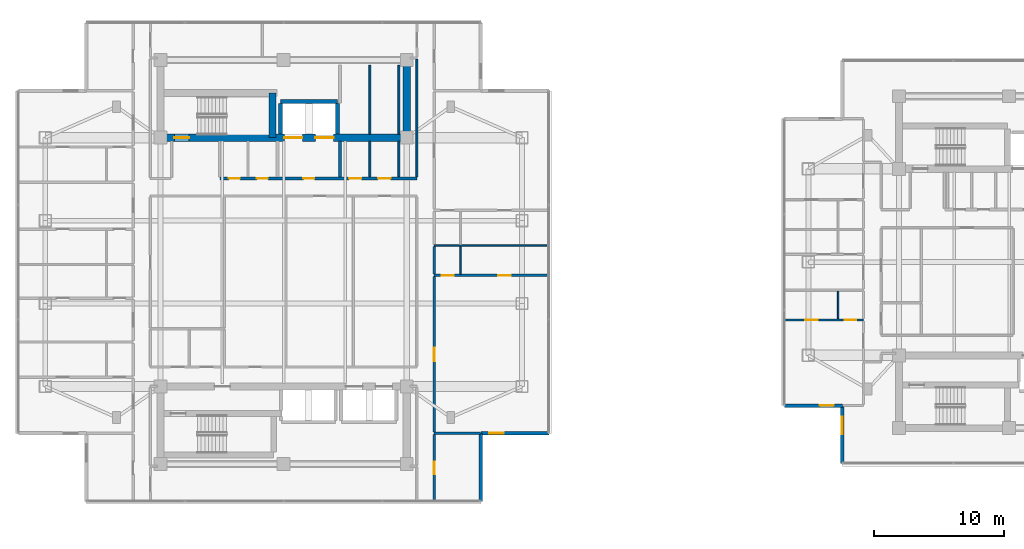
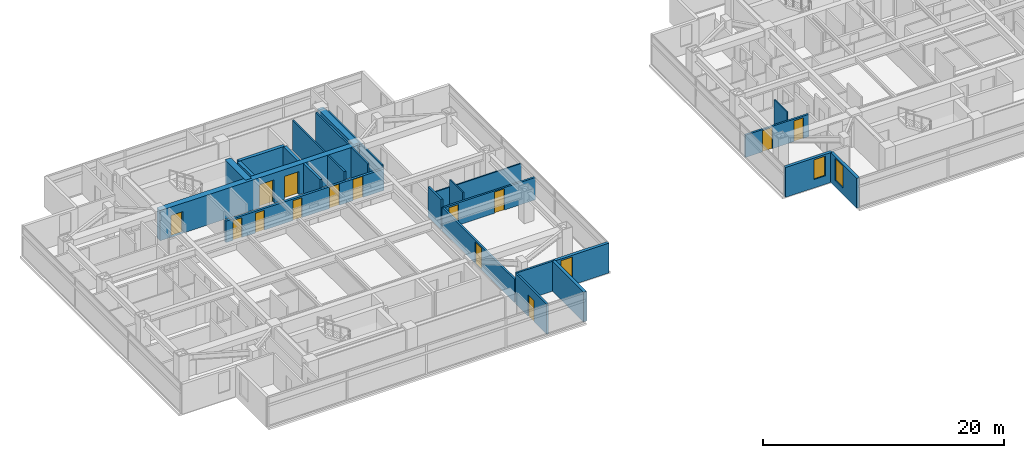
# One storey, part 14 of 24: 26 walls, 14 doors, 3 windows, 17 openings.
"""IFC4 building model written with IfcOpenShell, lengths in metres."""

from ifc_helpers import new_model, si_unit, direction, frame, frame_2d, origin, place, context, subcontext, project, spatial, rectangle, extrude, material, layer, layer_set, type_object, element, fill, save


model = new_model("IFC4")

# Units and contexts
model_context = context("Model", 3, precision=1e-05, world=origin(), true_north=direction((0.0, 1.0)))
body_context = subcontext(model_context, "Body", "Model", "MODEL_VIEW")
ifc_project = project(units=[si_unit("LENGTHUNIT", "METRE"), si_unit("AREAUNIT", "SQUARE_METRE"), si_unit("VOLUMEUNIT", "CUBIC_METRE"), si_unit("PLANEANGLEUNIT", "RADIAN"), si_unit("MASSUNIT", "GRAM", prefix="KILO")], contexts=[model_context])

# Site, building, storey
site_placement = place(None, origin())
site = spatial("IfcSite", under=ifc_project, at=site_placement, CompositionType="ELEMENT")
building_placement = place(site_placement, origin())
building = spatial("IfcBuilding", under=site, at=building_placement, Name="Mirazonda Arch Towers", CompositionType="ELEMENT")
storey_placement = place(building_placement, frame((0.0, 0.0, 164.14990234375)))
storey = spatial("IfcBuildingStorey", under=building, at=storey_placement, Name="L46", CompositionType="ELEMENT", Elevation=164.14990234375)

# Wall
ifc_material_1 = material(Name="Concrete C50/60", Category="concrete")
ifc_layer_1 = layer(ifc_material_1, 0.550048828125, Name="WALL-CORE-550")
ifc_layer_set_1 = layer_set([ifc_layer_1], Name="Concrete C50/60")
wall_type_1 = type_object("IfcWallType", Name="WALL-CORE-550", PredefinedType="SHEAR", material=ifc_layer_set_1)
wall_1_placement = place(storey_placement, frame((30.0, 37.60009765625, 0.0), z_axis=(0.0, 0.0, 1.0), x_axis=(0.0, 1.0, 0.0)))
element("IfcWall", 1, at=wall_1_placement, inside=storey, type_object=wall_type_1, Name="L46 T1N-E Core Shear Wall", PredefinedType="SHEAR", context=body_context, shape_type="SweptSolid", body=[
    extrude(rectangle(XDim=6.0, YDim=0.550048828125, at=frame_2d((3.0, 0.0))), origin(), (0.0, 0.0, 1.0), 3.050048828125),
])

# Wall, openings, doors
wall_2_placement = place(storey_placement, frame((11.0, 37.60009765625, 0.0), z_axis=(0.0, 0.0, 1.0), x_axis=(1.0, 0.0, 0.0)))
wall_2 = element("IfcWall", 2, at=wall_2_placement, inside=storey, type_object=wall_type_1, Name="L46 T1N-S Core Shear Wall", PredefinedType="SHEAR", context=body_context, shape_type="SweptSolid", body=[
    extrude(rectangle(XDim=19.0, YDim=0.550048828125, at=frame_2d((9.5, 0.0))), origin(), (0.0, 0.0, 1.0), 3.050048828125),
])
opening_1_placement = place(wall_2_placement, frame((1.06005859375, 0.0, 0.0)))
opening_1 = element("IfcOpeningElement", 3, at=opening_1_placement, cuts=wall_2, Name="Opening DR-135", PredefinedType="OPENING", context=body_context, shape_type="SweptSolid", body=[
    extrude(rectangle(XDim=1.14990234375, YDim=2.199951171875, at=frame_2d((0.574951171875, 1.10009765625))), frame((0.0, 0.284912109375, 0.0), z_axis=(0.0, -1.0, 0.0), x_axis=(1.0, 0.0, 0.0)), (0.0, 0.0, 1.0), 0.570068359375),
])
opening_2_placement = place(wall_2_placement, frame((9.550048828125, 0.0, 0.0)))
opening_2 = element("IfcOpeningElement", 4, at=opening_2_placement, cuts=wall_2, Name="Opening LD-112", PredefinedType="OPENING", context=body_context, shape_type="SweptSolid", body=[
    extrude(rectangle(XDim=1.39990234375, YDim=2.35009765625, at=frame_2d((0.699951171875, 1.175048828125))), frame((0.0, 0.284912109375, 0.0), z_axis=(0.0, -1.0, 0.0), x_axis=(1.0, 0.0, 0.0)), (0.0, 0.0, 1.0), 0.570068359375),
])
opening_3_placement = place(wall_2_placement, frame((11.949951171875, 0.0, 0.0)))
opening_3 = element("IfcOpeningElement", 5, at=opening_3_placement, cuts=wall_2, Name="Opening LD-112", PredefinedType="OPENING", context=body_context, shape_type="SweptSolid", body=[
    extrude(rectangle(XDim=1.39990234375, YDim=2.35009765625, at=frame_2d((0.699951171875, 1.175048828125))), frame((0.0, 0.284912109375, 0.0), z_axis=(0.0, -1.0, 0.0), x_axis=(1.0, 0.0, 0.0)), (0.0, 0.0, 1.0), 0.570068359375),
])
ifc_material_2 = material(Name="Architectural Brushed Steel S355", Category="steel")
door_type_1 = type_object("IfcDoorType", Name="DOOR-LIFT-FFL-1400", OperationType="NOTDEFINED", PredefinedType="DOOR", material=ifc_material_2)
door_1_placement = place(opening_2_placement, origin())
door_1 = element("IfcDoor", 6, at=door_1_placement, inside=storey, type_object=door_type_1, Name="L46 Lift Landing Sliding Door FFL-T1", OperationType="DOUBLE_DOOR_SLIDING", OverallHeight=2.35009765625, OverallWidth=1.39990234375, PredefinedType="DOOR", context=body_context, shape_type="SweptSolid", body=[
    extrude(rectangle(XDim=1.39990234375, YDim=2.35009765625, at=frame_2d((0.699951171875, 1.175048828125))), frame((0.0, 0.02490234375, 0.0), z_axis=(0.0, -1.0, 0.0), x_axis=(1.0, 0.0, 0.0)), (0.0, 0.0, 1.0), 0.050048828125),
])
fill(opening_2, door_1)
door_2_placement = place(opening_3_placement, origin())
door_2 = element("IfcDoor", 7, at=door_2_placement, inside=storey, type_object=door_type_1, Name="L46 Lift Landing Sliding Door SVL-T1", OperationType="DOUBLE_DOOR_SLIDING", OverallHeight=2.35009765625, OverallWidth=1.39990234375, PredefinedType="DOOR", context=body_context, shape_type="SweptSolid", body=[
    extrude(rectangle(XDim=1.39990234375, YDim=2.35009765625, at=frame_2d((0.699951171875, 1.175048828125))), frame((0.0, 0.02490234375, 0.0), z_axis=(0.0, -1.0, 0.0), x_axis=(1.0, 0.0, 0.0)), (0.0, 0.0, 1.0), 0.050048828125),
])
fill(opening_3, door_2)
door_type_2 = type_object("IfcDoorType", Name="DOOR-STAIR-FD90-1150", OperationType="NOTDEFINED", PredefinedType="DOOR", material=ifc_material_2)
door_3_placement = place(opening_1_placement, origin())
door_3 = element("IfcDoor", 8, at=door_3_placement, inside=storey, type_object=door_type_2, Name="L46 Protected Exit Stair North Door", OperationType="SINGLE_SWING_RIGHT", OverallHeight=2.199951171875, OverallWidth=1.14990234375, PredefinedType="DOOR", context=body_context, shape_type="SweptSolid", body=[
    extrude(rectangle(XDim=1.14990234375, YDim=2.199951171875, at=frame_2d((0.574951171875, 1.10009765625))), frame((0.0, 0.02490234375, 0.0), z_axis=(0.0, -1.0, 0.0), x_axis=(1.0, 0.0, 0.0)), (0.0, 0.0, 1.0), 0.050048828125),
])
fill(opening_1, door_3)

# Wall
wall_3_placement = place(storey_placement, frame((19.64990234375, 37.60009765625, 0.0), z_axis=(0.0, 0.0, 1.0), x_axis=(0.0, 1.0, 0.0)))
element("IfcWall", 9, at=wall_3_placement, inside=storey, type_object=wall_type_1, Name="L46 T1N-STE Core Shear Wall", PredefinedType="SHEAR", context=body_context, shape_type="SweptSolid", body=[
    extrude(rectangle(XDim=3.44287109375, YDim=0.550048828125, at=frame_2d((1.721435546875, 0.0))), origin(), (0.0, 0.0, 1.0), 3.050048828125),
])

# Wall, opening, window
ifc_material_3 = material(Name="Precast Concrete C40/50", Category="concrete")
ifc_layer_2 = layer(ifc_material_3, 0.280029296875, Name="WALL-EXT-WALL-280")
ifc_layer_set_2 = layer_set([ifc_layer_2], Name="Precast Concrete C40/50")
wall_type_2 = type_object("IfcWallType", Name="WALL-EXT-WALL-280", PredefinedType="SOLIDWALL", material=ifc_layer_set_2)
wall_4_placement = place(storey_placement, frame((35.72509765625, 14.781005859375, 0.0), z_axis=(0.0, 0.0, 1.0), x_axis=(1.0, 0.0, 0.0)))
wall_4 = element("IfcWall", 10, at=wall_4_placement, inside=storey, type_object=wall_type_2, Name="L46 T1 Corner Notch Return Wall WL-L46-T1-CSE1", PredefinedType="SOLIDWALL", context=body_context, shape_type="SweptSolid", body=[
    extrude(rectangle(XDim=5.244873046875, YDim=0.280029296875, at=frame_2d((2.62255859375, 0.0))), origin(), (0.0, 0.0, 1.0), 3.030029296875),
])
opening_4_placement = place(wall_4_placement, frame((0.64990234375, 0.0, 0.85009765625)))
opening_4 = element("IfcOpeningElement", 11, at=opening_4_placement, cuts=wall_4, Name="Opening WN-108", PredefinedType="OPENING", context=body_context, shape_type="SweptSolid", body=[
    extrude(rectangle(XDim=1.10009765625, YDim=2.0, at=frame_2d((0.550048828125, 1.0))), frame((0.0, 0.14990234375, 0.0), z_axis=(0.0, -1.0, 0.0), x_axis=(1.0, 0.0, 0.0)), (0.0, 0.0, 1.0), 0.300048828125),
])
ifc_material_4 = material(Name="Insulated Low-E Solar Glass", Category="glass")
window_type_1 = type_object("IfcWindowType", Name="WIN-NOTCH-1100x2000", PartitioningType="SINGLE_PANEL", PredefinedType="WINDOW", material=ifc_material_4)
window_1_placement = place(opening_4_placement, origin())
window_1 = element("IfcWindow", 12, at=window_1_placement, inside=storey, type_object=window_type_1, Name="L46 Punched Facade Window WN-L46-T1-CSE1", OverallHeight=2.0, OverallWidth=1.10009765625, PartitioningType="SINGLE_PANEL", PredefinedType="WINDOW", context=body_context, shape_type="SweptSolid", body=[
    extrude(rectangle(XDim=1.10009765625, YDim=2.0, at=frame_2d((0.550048828125, 1.0))), frame((0.0, 0.030029296875, 0.0), z_axis=(0.0, -1.0, 0.0), x_axis=(1.0, 0.0, 0.0)), (0.0, 0.0, 1.0), 0.06005859375),
])
fill(opening_4, window_1)

# Wall
wall_5_placement = place(storey_placement, frame((35.72509765625, 9.535888671875, 0.0), z_axis=(0.0, 0.0, 1.0), x_axis=(0.0, 1.0, 0.0)))
element("IfcWall", 13, at=wall_5_placement, inside=storey, type_object=wall_type_2, Name="L46 T1 Corner Notch Return Wall WL-L46-T1-CSE2", PredefinedType="SOLIDWALL", context=body_context, shape_type="SweptSolid", body=[
    extrude(rectangle(XDim=5.2451171875, YDim=0.280029296875, at=frame_2d((2.62255859375, 0.0))), origin(), (0.0, 0.0, 1.0), 3.030029296875),
])

# Wall, opening, window
wall_6_placement = place(storey_placement, frame((63.61865234375, 16.923828125, 0.0), z_axis=(0.0, 0.0, 1.0), x_axis=(0.0, -1.0, 0.0)))
wall_6 = element("IfcWall", 14, at=wall_6_placement, inside=storey, type_object=wall_type_2, Name="L46 T2 Notched SW Corner Wall WL-L46-T2-CSW", PredefinedType="SOLIDWALL", context=body_context, shape_type="SweptSolid", body=[
    extrude(rectangle(XDim=4.46533203125, YDim=0.280029296875, at=frame_2d((2.232666015625, 0.0))), origin(), (0.0, 0.0, 1.0), 3.030029296875),
])
opening_5_placement = place(wall_6_placement, frame((0.85009765625, 0.0, 0.679931640625)))
opening_5 = element("IfcOpeningElement", 15, at=opening_5_placement, cuts=wall_6, Name="Opening WN-104", PredefinedType="OPENING", context=body_context, shape_type="SweptSolid", body=[
    extrude(rectangle(XDim=1.35009765625, YDim=2.199951171875, at=frame_2d((0.675048828125, 1.10009765625))), frame((0.0, 0.14990234375, 0.0), z_axis=(0.0, -1.0, 0.0), x_axis=(1.0, 0.0, 0.0)), (0.0, 0.0, 1.0), 0.300048828125),
])
window_type_2 = type_object("IfcWindowType", Name="WIN-RES-1350x2200", PartitioningType="SINGLE_PANEL", PredefinedType="WINDOW", material=ifc_material_4)
window_2_placement = place(opening_5_placement, origin())
window_2 = element("IfcWindow", 16, at=window_2_placement, inside=storey, type_object=window_type_2, Name="L46 Punched Facade Window WN-L46-T2-CSW", OverallHeight=2.199951171875, OverallWidth=1.35009765625, PartitioningType="SINGLE_PANEL", PredefinedType="WINDOW", context=body_context, shape_type="SweptSolid", body=[
    extrude(rectangle(XDim=1.35009765625, YDim=2.199951171875, at=frame_2d((0.675048828125, 1.10009765625))), frame((0.0, 0.030029296875, 0.0), z_axis=(0.0, -1.0, 0.0), x_axis=(1.0, 0.0, 0.0)), (0.0, 0.0, 1.0), 0.06005859375),
])
fill(opening_5, window_2)

wall_7_placement = place(storey_placement, frame((59.153564453125, 16.923828125, 0.0), z_axis=(0.0, 0.0, 1.0), x_axis=(1.0, 0.0, 0.0)))
wall_7 = element("IfcWall", 17, at=wall_7_placement, inside=storey, type_object=wall_type_2, Name="L46 T2 Corner Notch Return Wall WL-L46-T2-CSW2", PredefinedType="SOLIDWALL", context=body_context, shape_type="SweptSolid", body=[
    extrude(rectangle(XDim=4.465087890625, YDim=0.280029296875, at=frame_2d((2.232421875, 0.0))), origin(), (0.0, 0.0, 1.0), 3.030029296875),
])
opening_6_placement = place(wall_7_placement, frame((2.715087890625, 0.0, 0.85009765625)))
opening_6 = element("IfcOpeningElement", 18, at=opening_6_placement, cuts=wall_7, Name="Opening WN-108", PredefinedType="OPENING", context=body_context, shape_type="SweptSolid", body=[
    extrude(rectangle(XDim=1.10009765625, YDim=2.0, at=frame_2d((0.550048828125, 1.0))), frame((0.0, 0.14990234375, 0.0), z_axis=(0.0, -1.0, 0.0), x_axis=(1.0, 0.0, 0.0)), (0.0, 0.0, 1.0), 0.300048828125),
])
window_3_placement = place(opening_6_placement, origin())
window_3 = element("IfcWindow", 19, at=window_3_placement, inside=storey, type_object=window_type_1, Name="L46 Punched Facade Window WN-L46-T2-CSW2", OverallHeight=2.0, OverallWidth=1.10009765625, PartitioningType="SINGLE_PANEL", PredefinedType="WINDOW", context=body_context, shape_type="SweptSolid", body=[
    extrude(rectangle(XDim=1.10009765625, YDim=2.0, at=frame_2d((0.550048828125, 1.0))), frame((0.0, 0.030029296875, 0.0), z_axis=(0.0, -1.0, 0.0), x_axis=(1.0, 0.0, 0.0)), (0.0, 0.0, 1.0), 0.06005859375),
])
fill(opening_6, window_3)

# Wall, openings, doors
ifc_material_5 = material(Name="Concrete C40/50", Category="concrete")
ifc_layer_3 = layer(ifc_material_5, 0.219970703125, Name="WALL-FFL-220")
ifc_layer_set_3 = layer_set([ifc_layer_3], Name="Concrete C40/50")
wall_type_3 = type_object("IfcWallType", Name="WALL-FFL-220", PredefinedType="SOLIDWALL", material=ifc_layer_set_3)
wall_8_placement = place(storey_placement, frame((15.590087890625, 34.449951171875, 0.0), z_axis=(0.0, 0.0, 1.0), x_axis=(1.0, 0.0, 0.0)))
wall_8 = element("IfcWall", 20, at=wall_8_placement, inside=storey, type_object=wall_type_3, Name="L46 Interior Partition 049", PredefinedType="SOLIDWALL", context=body_context, shape_type="SweptSolid", body=[
    extrude(rectangle(XDim=15.18994140625, YDim=0.219970703125, at=frame_2d((7.594970703125, 0.0))), origin(), (0.0, 0.0, 1.0), 2.18603515625),
])
opening_7_placement = place(wall_8_placement, frame((6.43505859375, 0.0, 0.0)))
opening_7 = element("IfcOpeningElement", 21, at=opening_7_placement, cuts=wall_8, Name="Opening DR-128", PredefinedType="OPENING", context=body_context, shape_type="SweptSolid", body=[
    extrude(rectangle(XDim=0.85009765625, YDim=2.010009765625, at=frame_2d((0.425048828125, 1.0048828125))), frame((0.0, 0.119873046875, 0.0), z_axis=(0.0, -1.0, 0.0), x_axis=(1.0, 0.0, 0.0)), (0.0, 0.0, 1.0), 0.239990234375),
])
opening_8_placement = place(wall_8_placement, frame((9.9599609375, 0.0, 0.0)))
opening_8 = element("IfcOpeningElement", 22, at=opening_8_placement, cuts=wall_8, Name="Opening DR-104", PredefinedType="OPENING", context=body_context, shape_type="SweptSolid", body=[
    extrude(rectangle(XDim=0.949951171875, YDim=2.14990234375, at=frame_2d((0.47509765625, 1.074951171875))), frame((0.0, 0.119873046875, 0.0), z_axis=(0.0, -1.0, 0.0), x_axis=(1.0, 0.0, 0.0)), (0.0, 0.0, 1.0), 0.239990234375),
])
opening_9_placement = place(wall_8_placement, frame((12.2099609375, 0.0, 0.0)))
opening_9 = element("IfcOpeningElement", 23, at=opening_9_placement, cuts=wall_8, Name="Opening DR-104", PredefinedType="OPENING", context=body_context, shape_type="SweptSolid", body=[
    extrude(rectangle(XDim=0.949951171875, YDim=2.14990234375, at=frame_2d((0.47509765625, 1.074951171875))), frame((0.0, 0.119873046875, 0.0), z_axis=(0.0, -1.0, 0.0), x_axis=(1.0, 0.0, 0.0)), (0.0, 0.0, 1.0), 0.239990234375),
])
opening_10_placement = place(wall_8_placement, frame((0.675048828125, 0.0, 0.0)))
opening_10 = element("IfcOpeningElement", 24, at=opening_10_placement, cuts=wall_8, Name="Opening DR-128", PredefinedType="OPENING", context=body_context, shape_type="SweptSolid", body=[
    extrude(rectangle(XDim=0.85009765625, YDim=2.010009765625, at=frame_2d((0.425048828125, 1.0048828125))), frame((0.0, 0.119873046875, 0.0), z_axis=(0.0, -1.0, 0.0), x_axis=(1.0, 0.0, 0.0)), (0.0, 0.0, 1.0), 0.239990234375),
])
opening_11_placement = place(wall_8_placement, frame((2.8349609375, 0.0, 0.0)))
opening_11 = element("IfcOpeningElement", 25, at=opening_11_placement, cuts=wall_8, Name="Opening DR-128", PredefinedType="OPENING", context=body_context, shape_type="SweptSolid", body=[
    extrude(rectangle(XDim=0.85009765625, YDim=2.010009765625, at=frame_2d((0.425048828125, 1.0048828125))), frame((0.0, 0.119873046875, 0.0), z_axis=(0.0, -1.0, 0.0), x_axis=(1.0, 0.0, 0.0)), (0.0, 0.0, 1.0), 0.239990234375),
])
door_type_3 = type_object("IfcDoorType", Name="DOOR-RISER-FD60-850", OperationType="NOTDEFINED", PredefinedType="DOOR", material=ifc_material_2)
door_4_placement = place(opening_7_placement, origin())
door_4 = element("IfcDoor", 26, at=door_4_placement, inside=storey, type_object=door_type_3, Name="L46 Firefighting Lift Lobby Door", OperationType="SINGLE_SWING_LEFT", OverallHeight=2.010009765625, OverallWidth=0.85009765625, PredefinedType="DOOR", context=body_context, shape_type="SweptSolid", body=[
    extrude(rectangle(XDim=0.85009765625, YDim=2.010009765625, at=frame_2d((0.425048828125, 1.0048828125))), frame((0.0, 0.02490234375, 0.0), z_axis=(0.0, -1.0, 0.0), x_axis=(1.0, 0.0, 0.0)), (0.0, 0.0, 1.0), 0.050048828125),
])
fill(opening_7, door_4)
door_5_placement = place(opening_10_placement, origin())
door_5 = element("IfcDoor", 27, at=door_5_placement, inside=storey, type_object=door_type_3, Name="L46 Electrical Room Door", OperationType="SINGLE_SWING_RIGHT", OverallHeight=2.010009765625, OverallWidth=0.85009765625, PredefinedType="DOOR", context=body_context, shape_type="SweptSolid", body=[
    extrude(rectangle(XDim=0.85009765625, YDim=2.010009765625, at=frame_2d((0.425048828125, 1.0048828125))), frame((0.0, 0.02490234375, 0.0), z_axis=(0.0, -1.0, 0.0), x_axis=(1.0, 0.0, 0.0)), (0.0, 0.0, 1.0), 0.050048828125),
])
fill(opening_10, door_5)
door_6_placement = place(opening_11_placement, origin())
door_6 = element("IfcDoor", 28, at=door_6_placement, inside=storey, type_object=door_type_3, Name="L46 Cleaners & Housekeeping Store Door", OperationType="SINGLE_SWING_LEFT", OverallHeight=2.010009765625, OverallWidth=0.85009765625, PredefinedType="DOOR", context=body_context, shape_type="SweptSolid", body=[
    extrude(rectangle(XDim=0.85009765625, YDim=2.010009765625, at=frame_2d((0.425048828125, 1.0048828125))), frame((0.0, 0.02490234375, 0.0), z_axis=(0.0, -1.0, 0.0), x_axis=(1.0, 0.0, 0.0)), (0.0, 0.0, 1.0), 0.050048828125),
])
fill(opening_11, door_6)
door_type_4 = type_object("IfcDoorType", Name="DOOR-ROOM-950", OperationType="NOTDEFINED", PredefinedType="DOOR", material=ifc_material_2)
door_7_placement = place(opening_8_placement, origin())
door_7 = element("IfcDoor", 29, at=door_7_placement, inside=storey, type_object=door_type_4, Name="L46 Residents Private Art Gallery Door", OperationType="SINGLE_SWING_RIGHT", OverallHeight=2.14990234375, OverallWidth=0.949951171875, PredefinedType="DOOR", context=body_context, shape_type="SweptSolid", body=[
    extrude(rectangle(XDim=0.949951171875, YDim=2.14990234375, at=frame_2d((0.47509765625, 1.074951171875))), frame((0.0, 0.02490234375, 0.0), z_axis=(0.0, -1.0, 0.0), x_axis=(1.0, 0.0, 0.0)), (0.0, 0.0, 1.0), 0.050048828125),
])
fill(opening_8, door_7)
door_8_placement = place(opening_9_placement, origin())
door_8 = element("IfcDoor", 30, at=door_8_placement, inside=storey, type_object=door_type_4, Name="L46 Private Quiet Study Door", OperationType="SINGLE_SWING_LEFT", OverallHeight=2.14990234375, OverallWidth=0.949951171875, PredefinedType="DOOR", context=body_context, shape_type="SweptSolid", body=[
    extrude(rectangle(XDim=0.949951171875, YDim=2.14990234375, at=frame_2d((0.47509765625, 1.074951171875))), frame((0.0, 0.02490234375, 0.0), z_axis=(0.0, -1.0, 0.0), x_axis=(1.0, 0.0, 0.0)), (0.0, 0.0, 1.0), 0.050048828125),
])
fill(opening_9, door_8)

# Walls
wall_9_placement = place(storey_placement, frame((24.85009765625, 34.570068359375, 0.0), z_axis=(0.0, 0.0, 1.0), x_axis=(0.0, 1.0, 0.0)))
element("IfcWall", 31, at=wall_9_placement, inside=storey, type_object=wall_type_3, Name="L46 Interior Partition 098", PredefinedType="SOLIDWALL", context=body_context, shape_type="SweptSolid", body=[
    extrude(rectangle(XDim=2.760009765625, YDim=0.219970703125, at=frame_2d((1.3798828125, 0.0))), origin(), (0.0, 0.0, 1.0), 3.050048828125),
])
ifc_material_6 = material(Name="Fire-Rated Gypsum Stud Partition")
ifc_layer_4 = layer(ifc_material_6, 0.14990234375, Name="WALL-PART-CORR-150")
ifc_layer_set_4 = layer_set([ifc_layer_4], Name="Fire-Rated Gypsum Stud Partition")
wall_type_4 = type_object("IfcWallType", Name="WALL-PART-CORR-150", PredefinedType="PARTITIONING", material=ifc_layer_set_4)
wall_10_placement = place(storey_placement, frame((27.14990234375, 34.570068359375, 0.0), z_axis=(0.0, 0.0, 1.0), x_axis=(0.0, 1.0, 0.0)))
element("IfcWall", 32, at=wall_10_placement, inside=storey, type_object=wall_type_4, Name="L46 Interior Partition 101", PredefinedType="PARTITIONING", context=body_context, shape_type="SweptSolid", body=[
    extrude(rectangle(XDim=2.760009765625, YDim=0.14990234375, at=frame_2d((1.3798828125, 0.0))), origin(), (0.0, 0.0, 1.0), 3.050048828125),
])
wall_11_placement = place(storey_placement, frame((27.14990234375, 37.8701171875, 0.0), z_axis=(0.0, 0.0, 1.0), x_axis=(0.0, 1.0, 0.0)))
element("IfcWall", 33, at=wall_11_placement, inside=storey, type_object=wall_type_4, Name="L46 Interior Partition 102", PredefinedType="PARTITIONING", context=body_context, shape_type="SweptSolid", body=[
    extrude(rectangle(XDim=5.329833984375, YDim=0.14990234375, at=frame_2d((2.6650390625, 0.0))), origin(), (0.0, 0.0, 1.0), 3.050048828125),
])
wall_12_placement = place(storey_placement, frame((29.39990234375, 34.570068359375, 0.0), z_axis=(0.0, 0.0, 1.0), x_axis=(0.0, 1.0, 0.0)))
element("IfcWall", 34, at=wall_12_placement, inside=storey, type_object=wall_type_4, Name="L46 Interior Partition 104", PredefinedType="PARTITIONING", context=body_context, shape_type="SweptSolid", body=[
    extrude(rectangle(XDim=2.760009765625, YDim=0.14990234375, at=frame_2d((1.3798828125, 0.0))), origin(), (0.0, 0.0, 1.0), 3.050048828125),
])
wall_13_placement = place(storey_placement, frame((29.39990234375, 37.8701171875, 0.0), z_axis=(0.0, 0.0, 1.0), x_axis=(0.0, 1.0, 0.0)))
element("IfcWall", 35, at=wall_13_placement, inside=storey, type_object=wall_type_4, Name="L46 Interior Partition 105", PredefinedType="PARTITIONING", context=body_context, shape_type="SweptSolid", body=[
    extrude(rectangle(XDim=5.329833984375, YDim=0.14990234375, at=frame_2d((2.6650390625, 0.0))), origin(), (0.0, 0.0, 1.0), 3.050048828125),
])
wall_14_placement = place(storey_placement, frame((30.780029296875, 34.570068359375, 0.0), z_axis=(0.0, 0.0, 1.0), x_axis=(0.0, 1.0, 0.0)))
element("IfcWall", 36, at=wall_14_placement, inside=storey, type_object=wall_type_4, Name="L46 Interior Partition 109", PredefinedType="PARTITIONING", context=body_context, shape_type="SweptSolid", body=[
    extrude(rectangle(XDim=9.094970703125, YDim=0.14990234375, at=frame_2d((4.54736328125, 0.0))), origin(), (0.0, 0.0, 1.0), 2.442138671875),
])
ifc_material_7 = material(Name="Fire-Rated Gypsum Twin-Stud Assembly")
ifc_layer_5 = layer(ifc_material_7, 0.179931640625, Name="WALL-PART-DEMISE-180")
ifc_layer_set_5 = layer_set([ifc_layer_5], Name="Fire-Rated Gypsum Twin-Stud Assembly")
wall_type_5 = type_object("IfcWallType", Name="WALL-PART-DEMISE-180", PredefinedType="PARTITIONING", material=ifc_layer_set_5)
wall_15_placement = place(storey_placement, frame((32.1201171875, 14.781005859375, 0.0), z_axis=(0.0, 0.0, 1.0), x_axis=(1.0, 0.0, 0.0)))
element("IfcWall", 37, at=wall_15_placement, inside=storey, type_object=wall_type_5, Name="L46 Interior Partition 005", PredefinedType="PARTITIONING", context=body_context, shape_type="SweptSolid", body=[
    extrude(rectangle(XDim=3.5849609375, YDim=0.179931640625, at=frame_2d((1.79248046875, 0.0))), origin(), (0.0, 0.0, 1.0), 3.050048828125),
])

# Wall, openings, doors
wall_16_placement = place(storey_placement, frame((59.154052734375, 23.533935546875, 0.0), z_axis=(0.0, 0.0, 1.0), x_axis=(1.0, 0.0, 0.0)))
wall_16 = element("IfcWall", 38, at=wall_16_placement, inside=storey, type_object=wall_type_5, Name="L46 Interior Partition 025", PredefinedType="PARTITIONING", context=body_context, shape_type="SweptSolid", body=[
    extrude(rectangle(XDim=6.095947265625, YDim=0.179931640625, at=frame_2d((3.0478515625, 0.0))), origin(), (0.0, 0.0, 1.0), 2.26904296875),
])
opening_12_placement = place(wall_16_placement, frame((1.617431640625, 0.0, 0.0)))
opening_12 = element("IfcOpeningElement", 39, at=opening_12_placement, cuts=wall_16, Name="Opening DR-104", PredefinedType="OPENING", context=body_context, shape_type="SweptSolid", body=[
    extrude(rectangle(XDim=0.949951171875, YDim=2.14990234375, at=frame_2d((0.47509765625, 1.074951171875))), frame((0.0, 0.099853515625, 0.0), z_axis=(0.0, -1.0, 0.0), x_axis=(1.0, 0.0, 0.0)), (0.0, 0.0, 1.0), 0.199951171875),
])
opening_13_placement = place(wall_16_placement, frame((4.650390625, 0.0, 0.0)))
opening_13 = element("IfcOpeningElement", 40, at=opening_13_placement, cuts=wall_16, Name="Opening DR-120", PredefinedType="OPENING", context=body_context, shape_type="SweptSolid", body=[
    extrude(rectangle(XDim=0.89990234375, YDim=2.10009765625, at=frame_2d((0.449951171875, 1.050048828125))), frame((0.0, 0.099853515625, 0.0), z_axis=(0.0, -1.0, 0.0), x_axis=(1.0, 0.0, 0.0)), (0.0, 0.0, 1.0), 0.199951171875),
])
door_9_placement = place(opening_12_placement, origin())
door_9 = element("IfcDoor", 41, at=door_9_placement, inside=storey, type_object=door_type_4, Name="L46 Studio 1 Galley Kitchen Door", OperationType="SINGLE_SWING_LEFT", OverallHeight=2.14990234375, OverallWidth=0.949951171875, PredefinedType="DOOR", context=body_context, shape_type="SweptSolid", body=[
    extrude(rectangle(XDim=0.949951171875, YDim=2.14990234375, at=frame_2d((0.47509765625, 1.074951171875))), frame((0.0, 0.02490234375, 0.0), z_axis=(0.0, -1.0, 0.0), x_axis=(1.0, 0.0, 0.0)), (0.0, 0.0, 1.0), 0.050048828125),
])
fill(opening_12, door_9)
door_type_5 = type_object("IfcDoorType", Name="DOOR-WC-900", OperationType="NOTDEFINED", PredefinedType="DOOR", material=ifc_material_2)
door_10_placement = place(opening_13_placement, origin())
door_10 = element("IfcDoor", 42, at=door_10_placement, inside=storey, type_object=door_type_5, Name="L46 Studio 1 Bathroom Door", OperationType="SINGLE_SWING_RIGHT", OverallHeight=2.10009765625, OverallWidth=0.89990234375, PredefinedType="DOOR", context=body_context, shape_type="SweptSolid", body=[
    extrude(rectangle(XDim=0.89990234375, YDim=2.10009765625, at=frame_2d((0.449951171875, 1.050048828125))), frame((0.0, 0.02490234375, 0.0), z_axis=(0.0, -1.0, 0.0), x_axis=(1.0, 0.0, 0.0)), (0.0, 0.0, 1.0), 0.050048828125),
])
fill(opening_13, door_10)

wall_17_placement = place(storey_placement, frame((32.1201171875, 26.969970703125, 0.0), z_axis=(0.0, 0.0, 1.0), x_axis=(1.0, 0.0, 0.0)))
wall_17 = element("IfcWall", 43, at=wall_17_placement, inside=storey, type_object=wall_type_5, Name="L46 Interior Partition 031", PredefinedType="PARTITIONING", context=body_context, shape_type="SweptSolid", body=[
    extrude(rectangle(XDim=8.849853515625, YDim=0.179931640625, at=frame_2d((4.4248046875, 0.0))), origin(), (0.0, 0.0, 1.0), 2.26904296875),
])
opening_14_placement = place(wall_17_placement, frame((4.949951171875, 0.0, 0.0)))
opening_14 = element("IfcOpeningElement", 44, at=opening_14_placement, cuts=wall_17, Name="Opening DR-104", PredefinedType="OPENING", context=body_context, shape_type="SweptSolid", body=[
    extrude(rectangle(XDim=0.949951171875, YDim=2.14990234375, at=frame_2d((0.47509765625, 1.074951171875))), frame((0.0, 0.099853515625, 0.0), z_axis=(0.0, -1.0, 0.0), x_axis=(1.0, 0.0, 0.0)), (0.0, 0.0, 1.0), 0.199951171875),
])
opening_15_placement = place(wall_17_placement, frame((0.590087890625, 0.0, 0.0)))
opening_15 = element("IfcOpeningElement", 45, at=opening_15_placement, cuts=wall_17, Name="Opening DR-120", PredefinedType="OPENING", context=body_context, shape_type="SweptSolid", body=[
    extrude(rectangle(XDim=0.89990234375, YDim=2.10009765625, at=frame_2d((0.449951171875, 1.050048828125))), frame((0.0, 0.099853515625, 0.0), z_axis=(0.0, -1.0, 0.0), x_axis=(1.0, 0.0, 0.0)), (0.0, 0.0, 1.0), 0.199951171875),
])
door_11_placement = place(opening_14_placement, origin())
door_11 = element("IfcDoor", 46, at=door_11_placement, inside=storey, type_object=door_type_4, Name="L46 Suite Bedroom 1 Door", OperationType="SINGLE_SWING_RIGHT", OverallHeight=2.14990234375, OverallWidth=0.949951171875, PredefinedType="DOOR", context=body_context, shape_type="SweptSolid", body=[
    extrude(rectangle(XDim=0.949951171875, YDim=2.14990234375, at=frame_2d((0.47509765625, 1.074951171875))), frame((0.0, 0.02490234375, 0.0), z_axis=(0.0, -1.0, 0.0), x_axis=(1.0, 0.0, 0.0)), (0.0, 0.0, 1.0), 0.050048828125),
])
fill(opening_14, door_11)
door_12_placement = place(opening_15_placement, origin())
door_12 = element("IfcDoor", 47, at=door_12_placement, inside=storey, type_object=door_type_5, Name="L46 Suite En-Suite Bathroom 1 Door", OperationType="SINGLE_SWING_LEFT", OverallHeight=2.10009765625, OverallWidth=0.89990234375, PredefinedType="DOOR", context=body_context, shape_type="SweptSolid", body=[
    extrude(rectangle(XDim=0.89990234375, YDim=2.10009765625, at=frame_2d((0.449951171875, 1.050048828125))), frame((0.0, 0.02490234375, 0.0), z_axis=(0.0, -1.0, 0.0), x_axis=(1.0, 0.0, 0.0)), (0.0, 0.0, 1.0), 0.050048828125),
])
fill(opening_15, door_12)

# Wall, opening, door
wall_18_placement = place(storey_placement, frame((32.1201171875, 9.535888671875, 0.0), z_axis=(0.0, 0.0, 1.0), x_axis=(0.0, 1.0, 0.0)))
wall_18 = element("IfcWall", 48, at=wall_18_placement, inside=storey, type_object=wall_type_5, Name="L46 Interior Partition 111", PredefinedType="PARTITIONING", context=body_context, shape_type="SweptSolid", body=[
    extrude(rectangle(XDim=5.14501953125, YDim=0.179931640625, at=frame_2d((2.572509765625, 0.0))), origin(), (0.0, 0.0, 1.0), 3.050048828125),
])
opening_16_placement = place(wall_18_placement, frame((2.097412109375, 0.0, 0.0)))
opening_16 = element("IfcOpeningElement", 49, at=opening_16_placement, cuts=wall_18, Name="Opening DR-104", PredefinedType="OPENING", context=body_context, shape_type="SweptSolid", body=[
    extrude(rectangle(XDim=0.949951171875, YDim=2.14990234375, at=frame_2d((0.47509765625, 1.074951171875))), frame((0.0, 0.099853515625, 0.0), z_axis=(0.0, -1.0, 0.0), x_axis=(1.0, 0.0, 0.0)), (0.0, 0.0, 1.0), 0.199951171875),
])
door_13_placement = place(opening_16_placement, origin())
door_13 = element("IfcDoor", 50, at=door_13_placement, inside=storey, type_object=door_type_4, Name="L46 South Horizon Lounge Alcove East Door", OperationType="SINGLE_SWING_RIGHT", OverallHeight=2.14990234375, OverallWidth=0.949951171875, PredefinedType="DOOR", context=body_context, shape_type="SweptSolid", body=[
    extrude(rectangle(XDim=0.949951171875, YDim=2.14990234375, at=frame_2d((0.47509765625, 1.074951171875))), frame((0.0, 0.02490234375, 0.0), z_axis=(0.0, -1.0, 0.0), x_axis=(1.0, 0.0, 0.0)), (0.0, 0.0, 1.0), 0.050048828125),
])
fill(opening_16, door_13)

wall_19_placement = place(storey_placement, frame((32.1201171875, 14.881103515625, 0.0), z_axis=(0.0, 0.0, 1.0), x_axis=(0.0, 1.0, 0.0)))
wall_19 = element("IfcWall", 51, at=wall_19_placement, inside=storey, type_object=wall_type_5, Name="L46 Interior Partition 112", PredefinedType="PARTITIONING", context=body_context, shape_type="SweptSolid", body=[
    extrude(rectangle(XDim=11.989013671875, YDim=0.179931640625, at=frame_2d((5.99462890625, 0.0))), origin(), (0.0, 0.0, 1.0), 2.34619140625),
])
opening_17_placement = place(wall_19_placement, frame((5.469482421875, 0.0, 0.0)))
opening_17 = element("IfcOpeningElement", 52, at=opening_17_placement, cuts=wall_19, Name="Opening DR-121", PredefinedType="OPENING", context=body_context, shape_type="SweptSolid", body=[
    extrude(rectangle(XDim=1.050048828125, YDim=2.199951171875, at=frame_2d((0.52490234375, 1.10009765625))), frame((0.0, 0.099853515625, 0.0), z_axis=(0.0, -1.0, 0.0), x_axis=(1.0, 0.0, 0.0)), (0.0, 0.0, 1.0), 0.199951171875),
])
door_type_6 = type_object("IfcDoorType", Name="DOOR-SUITE-FD60-1050", OperationType="NOTDEFINED", PredefinedType="DOOR", material=ifc_material_2)
door_14_placement = place(opening_17_placement, origin())
door_14 = element("IfcDoor", 53, at=door_14_placement, inside=storey, type_object=door_type_6, Name="L46 Presidential Hotel Suite 1 Door", OperationType="SINGLE_SWING_LEFT", OverallHeight=2.199951171875, OverallWidth=1.050048828125, PredefinedType="DOOR", context=body_context, shape_type="SweptSolid", body=[
    extrude(rectangle(XDim=1.050048828125, YDim=2.199951171875, at=frame_2d((0.52490234375, 1.10009765625))), frame((0.0, 0.02490234375, 0.0), z_axis=(0.0, -1.0, 0.0), x_axis=(1.0, 0.0, 0.0)), (0.0, 0.0, 1.0), 0.050048828125),
])
fill(opening_17, door_14)

# Walls
wall_20_placement = place(storey_placement, frame((32.1201171875, 27.070068359375, 0.0), z_axis=(0.0, 0.0, 1.0), x_axis=(0.0, 1.0, 0.0)))
element("IfcWall", 54, at=wall_20_placement, inside=storey, type_object=wall_type_5, Name="L46 Interior Partition 113", PredefinedType="PARTITIONING", context=body_context, shape_type="SweptSolid", body=[
    extrude(rectangle(XDim=2.12744140625, YDim=0.179931640625, at=frame_2d((1.063720703125, 0.0))), origin(), (0.0, 0.0, 1.0), 3.050048828125),
])
ifc_material_8 = material(Name="Acoustic Fire-Rated Gypsum Partition")
ifc_layer_6 = layer(ifc_material_8, 0.125, Name="WALL-PART-UNIT-125")
ifc_layer_set_6 = layer_set([ifc_layer_6], Name="Acoustic Fire-Rated Gypsum Partition")
wall_type_6 = type_object("IfcWallType", Name="WALL-PART-UNIT-125", PredefinedType="PARTITIONING", material=ifc_layer_set_6)
wall_21_placement = place(storey_placement, frame((32.1201171875, 29.27001953125, 0.0), z_axis=(0.0, 0.0, 1.0), x_axis=(1.0, 0.0, 0.0)))
element("IfcWall", 55, at=wall_21_placement, inside=storey, type_object=wall_type_6, Name="L46 Interior Partition 036", PredefinedType="PARTITIONING", context=body_context, shape_type="SweptSolid", body=[
    extrude(rectangle(XDim=8.849853515625, YDim=0.125, at=frame_2d((4.4248046875, 0.0))), origin(), (0.0, 0.0, 1.0), 2.26904296875),
])
wall_22_placement = place(storey_placement, frame((34.159912109375, 27.070068359375, 0.0), z_axis=(0.0, 0.0, 1.0), x_axis=(0.0, 1.0, 0.0)))
element("IfcWall", 56, at=wall_22_placement, inside=storey, type_object=wall_type_6, Name="L46 Interior Partition 117", PredefinedType="PARTITIONING", context=body_context, shape_type="SweptSolid", body=[
    extrude(rectangle(XDim=2.12744140625, YDim=0.125, at=frame_2d((1.063720703125, 0.0))), origin(), (0.0, 0.0, 1.0), 3.050048828125),
])
wall_23_placement = place(storey_placement, frame((63.299072265625, 23.634033203125, 0.0), z_axis=(0.0, 0.0, 1.0), x_axis=(0.0, 1.0, 0.0)))
element("IfcWall", 57, at=wall_23_placement, inside=storey, type_object=wall_type_6, Name="L46 Interior Partition 119", PredefinedType="PARTITIONING", context=body_context, shape_type="SweptSolid", body=[
    extrude(rectangle(XDim=2.114990234375, YDim=0.125, at=frame_2d((1.0576171875, 0.0))), origin(), (0.0, 0.0, 1.0), 3.050048828125),
])
ifc_layer_7 = layer(ifc_material_1, 0.300048828125, Name="WALL-SHAFT-300")
ifc_layer_set_7 = layer_set([ifc_layer_7], Name="Concrete C50/60")
wall_type_7 = type_object("IfcWallType", Name="WALL-SHAFT-300", PredefinedType="SOLIDWALL", material=ifc_layer_set_7)
wall_24_placement = place(storey_placement, frame((20.25, 40.39990234375, 0.0), z_axis=(0.0, 0.0, 1.0), x_axis=(1.0, 0.0, 0.0)))
element("IfcWall", 58, at=wall_24_placement, inside=storey, type_object=wall_type_7, Name="L46 Interior Partition 057", PredefinedType="SOLIDWALL", context=body_context, shape_type="SweptSolid", body=[
    extrude(rectangle(XDim=4.39990234375, YDim=0.300048828125, at=frame_2d((2.199951171875, 0.0))), origin(), (0.0, 0.0, 1.0), 3.050048828125),
])
for number, where, z_axis, x_axis, name in (
    (59, (20.25, 37.8701171875, 0.0), (0.0, 0.0, 1.0), (0.0, 1.0, 0.0), "L46 Interior Partition 093"),
    (60, (24.64990234375, 37.8701171875, 0.0), (0.0, 0.0, 1.0), (0.0, 1.0, 0.0), "L46 Interior Partition 096"),
):
    element("IfcWall", number, at=place(storey_placement, frame(where, z_axis=z_axis, x_axis=x_axis)), inside=storey, type_object=wall_type_7, Name=name, PredefinedType="SOLIDWALL", context=body_context, shape_type="SweptSolid", body=[
        extrude(rectangle(XDim=2.369873046875, YDim=0.300048828125, at=frame_2d((1.18505859375, 0.0))), origin(), (0.0, 0.0, 1.0), 3.050048828125),
    ])

save(model, "model.ifc")
